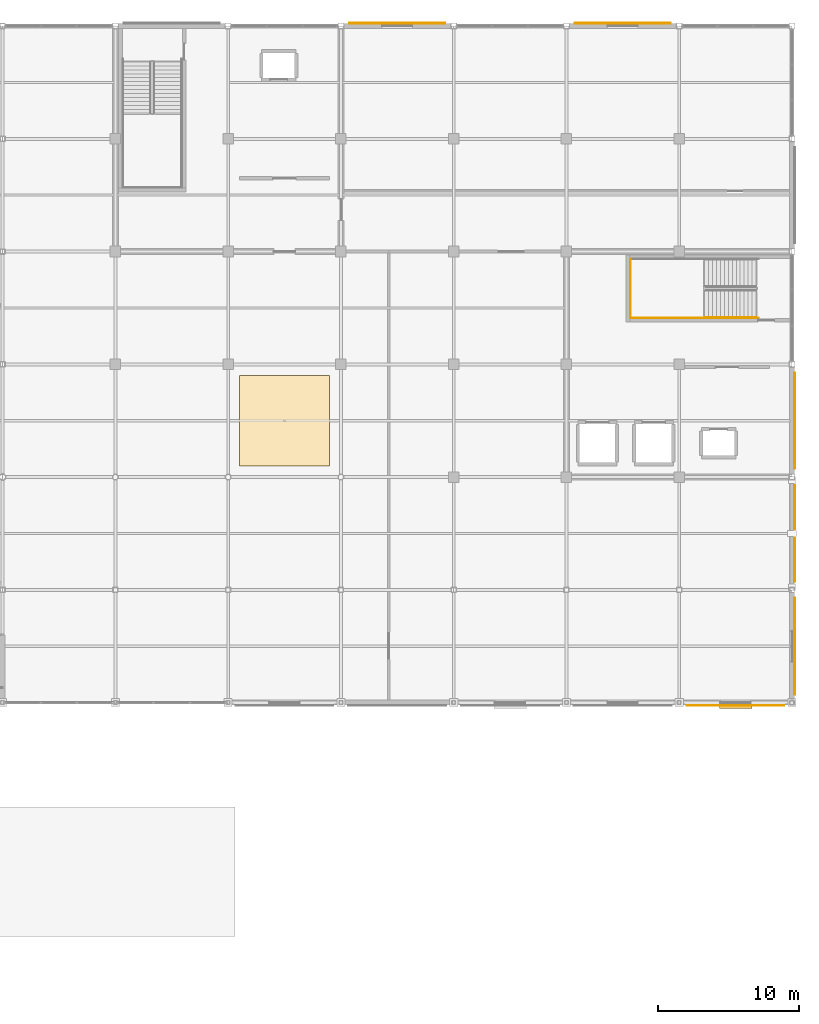
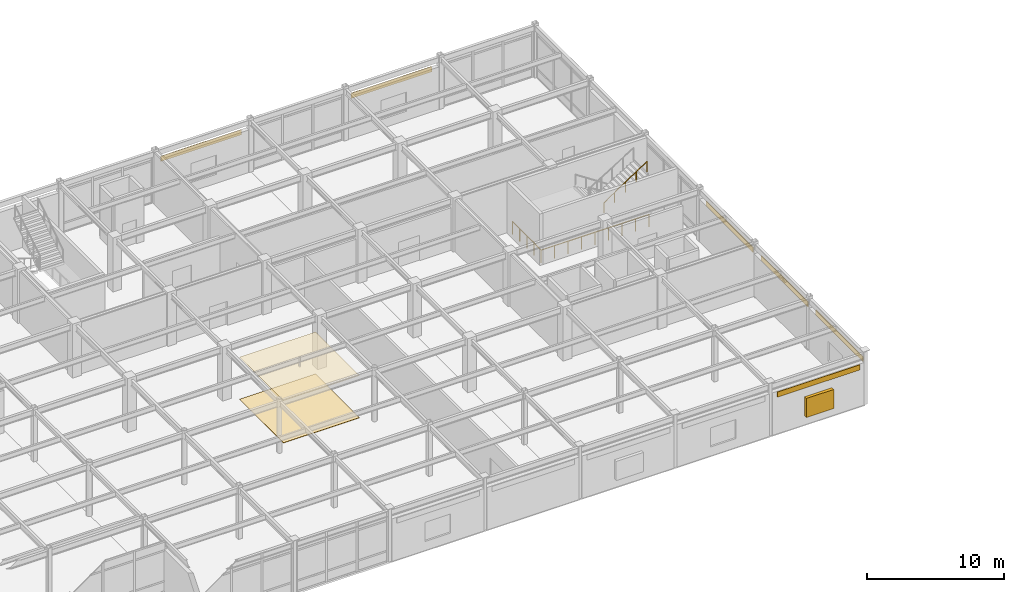
# One storey, part 115 of 117: 8 coverings, 3 railings, 1 shading device.
"""IFC4 building model written with IfcOpenShell, lengths in metres."""

from ifc_helpers import new_model, si_unit, direction, frame, origin, origin_2d, place, context, subcontext, project, spatial, polyline, rectangle, circle, outline, extrude, material, layer, layer_set, type_object, element, save


model = new_model("IFC4")

# Units and contexts
model_context = context("Model", 3, precision=1e-05, world=origin(), true_north=direction((0.0, 1.0)))
body_context = subcontext(model_context, "Body", "Model", "MODEL_VIEW")
ifc_project = project(units=[si_unit("LENGTHUNIT", "METRE"), si_unit("AREAUNIT", "SQUARE_METRE"), si_unit("VOLUMEUNIT", "CUBIC_METRE"), si_unit("PLANEANGLEUNIT", "RADIAN"), si_unit("MASSUNIT", "GRAM", prefix="KILO")], contexts=[model_context])

# Site, building, storey
site_placement = place(None, origin())
site = spatial("IfcSite", under=ifc_project, at=site_placement, CompositionType="ELEMENT")
building_placement = place(site_placement, origin())
building = spatial("IfcBuilding", under=site, at=building_placement, Name="Solmirada Galleria", CompositionType="ELEMENT")
storey_placement = place(building_placement, frame((0.0, 0.0, 5.60009765625)))
storey = spatial("IfcBuildingStorey", under=building, at=storey_placement, Name="L01", CompositionType="ELEMENT", Elevation=5.60009765625)

# Coverings
ifc_material_1 = material(Name="Perforated acoustic mineral-fibre ceiling")
ifc_layer_1 = layer(ifc_material_1, 0.02490234375)
ifc_layer_set_1 = layer_set([ifc_layer_1], Name="Perforated acoustic mineral-fibre ceiling")
covering_type_1 = type_object("IfcCoveringType", Name="COV-CEIL-ACOUST", PredefinedType="CEILING", material=ifc_layer_set_1)
covering_1_placement = place(storey_placement, frame((0.0, 0.0, 3.75)))
element("IfcCovering", 1, at=covering_1_placement, inside=storey, type_object=covering_type_1, Name="Acoustic ceiling panel L01-3", PredefinedType="CEILING", context=body_context, shape_type="SweptSolid", body=[
    extrude(outline(polyline([(136.800048828125, 88.800048828125), (143.199951171875, 88.800048828125), (143.199951171875, 95.199951171875), (136.800048828125, 95.199951171875), (136.800048828125, 88.800048828125)])), origin(), (0.0, 0.0, 1.0), 0.02490234375),
])
ifc_material_2 = material(Name="Limestone cladding panels", Category="masonry")
ifc_layer_2 = layer(ifc_material_2, 0.044921875)
ifc_layer_set_2 = layer_set([ifc_layer_2], Name="Limestone cladding panels")
covering_type_2 = type_object("IfcCoveringType", Name="COV-CLAD-LIME", PredefinedType="CLADDING", material=ifc_layer_set_2)
for number, where, z_axis, x_axis, name in (
    (2, (148.0, 120.1923828125, 3.2900390625), (0.0, 0.0, 1.0), (1.0, 0.0, 0.0), "Postmodern facade cladding L01-079"),
    (3, (164.0, 120.1923828125, 3.2900390625), (0.0, 0.0, 1.0), (1.0, 0.0, 0.0), "Postmodern facade cladding L01-080"),
    (4, (176.1923828125, 92.0, 3.2900390625), (0.0, 0.0, 1.0), (0.0, -1.0, 0.0), "Postmodern facade cladding L01-082"),
):
    element("IfcCovering", number, at=place(storey_placement, frame(where, z_axis=z_axis, x_axis=x_axis)), inside=storey, type_object=covering_type_2, Name=name, PredefinedType="CLADDING", context=body_context, shape_type="SweptSolid", body=[
        extrude(rectangle(XDim=6.7939453125, YDim=0.044921875, at=origin_2d()), origin(), (0.0, 0.0, 1.0), 0.4599609375),
    ])
covering_2_placement = place(storey_placement, frame((176.202392578125, 84.0, 3.2900390625), z_axis=(0.0, 0.0, 1.0), x_axis=(0.0, -1.0, 0.0)))
element("IfcCovering", 5, at=covering_2_placement, inside=storey, type_object=covering_type_2, Name="Postmodern facade cladding L01-083", PredefinedType="CLADDING", context=body_context, shape_type="SweptSolid", body=[
    extrude(rectangle(XDim=6.819091796875, YDim=0.044921875, at=origin_2d()), origin(), (0.0, 0.0, 1.0), 0.4599609375),
])
covering_3_placement = place(storey_placement, frame((176.1923828125, 76.0, 3.2900390625), z_axis=(0.0, 0.0, 1.0), x_axis=(0.0, -1.0, 0.0)))
element("IfcCovering", 6, at=covering_3_placement, inside=storey, type_object=covering_type_2, Name="Postmodern facade cladding L01-084", PredefinedType="CLADDING", context=body_context, shape_type="SweptSolid", body=[
    extrude(rectangle(XDim=6.869384765625, YDim=0.044921875, at=origin_2d()), origin(), (0.0, 0.0, 1.0), 0.4599609375),
])
covering_4_placement = place(storey_placement, frame((172.0, 71.8076171875, 3.2900390625), z_axis=(0.0, 0.0, 1.0), x_axis=(-1.0, 0.0, 0.0)))
element("IfcCovering", 7, at=covering_4_placement, inside=storey, type_object=covering_type_2, Name="Postmodern facade cladding L01-085", PredefinedType="CLADDING", context=body_context, shape_type="SweptSolid", body=[
    extrude(rectangle(XDim=6.92041015625, YDim=0.044921875, at=origin_2d()), origin(), (0.0, 0.0, 1.0), 0.4599609375),
])
ifc_material_3 = material(Name="Polished terrazzo and porcelain tile flooring")
ifc_layer_3 = layer(ifc_material_3, 0.030029296875)
ifc_layer_set_3 = layer_set([ifc_layer_3], Name="Polished terrazzo and porcelain tile flooring")
covering_type_3 = type_object("IfcCoveringType", Name="COV-FLOOR-TERRAZ", PredefinedType="FLOORING", material=ifc_layer_set_3)
covering_5_placement = place(storey_placement, origin())
element("IfcCovering", 8, at=covering_5_placement, inside=storey, type_object=covering_type_3, Name="Terrazzo floor finish L01-3", PredefinedType="FLOORING", context=body_context, shape_type="SweptSolid", body=[
    extrude(outline(polyline([(136.800048828125, 88.800048828125), (143.199951171875, 88.800048828125), (143.199951171875, 95.199951171875), (136.800048828125, 95.199951171875), (136.800048828125, 88.800048828125)])), origin(), (0.0, 0.0, 1.0), 0.02978515625),
])

# Railings
ifc_material_4 = material(Name="Painted steel tubular railing", Category="steel")
railing_type_1 = type_object("IfcRailingType", Name="RAIL-STAIR-GUARD", PredefinedType="GUARDRAIL", material=ifc_material_4)
railing_1_placement = place(storey_placement, frame((173.6201171875, 99.2900390625, 0.0)))
element("IfcRailing", 9, at=railing_1_placement, inside=storey, type_object=railing_type_1, Name="Stair ST4 well edge guard L01-1", PredefinedType="GUARDRAIL", context=body_context, shape_type="SweptSolid", body=[
    extrude(circle(Radius=0.02392578125, at=origin_2d()), frame((0.0, 0.0, 1.09619140625), z_axis=(-1.0, 0.0, 0.0), x_axis=(0.0, -1.0, 0.0)), (0.0, 0.0, 1.0), 9.080078125),
    extrude(circle(Radius=0.02099609375, at=origin_2d()), origin(), (0.0, 0.0, 1.0), 1.068115234375),
    extrude(circle(Radius=0.02099609375, at=origin_2d()), frame((-1.135009765625, 0.0, 0.0)), (0.0, 0.0, 1.0), 1.068115234375),
    extrude(circle(Radius=0.02099609375, at=origin_2d()), frame((-2.27001953125, 0.0, 0.0)), (0.0, 0.0, 1.0), 1.068115234375),
    extrude(circle(Radius=0.02099609375, at=origin_2d()), frame((-3.405029296875, 0.0, 0.0)), (0.0, 0.0, 1.0), 1.068115234375),
    extrude(circle(Radius=0.02099609375, at=origin_2d()), frame((-4.5400390625, 0.0, 0.0)), (0.0, 0.0, 1.0), 1.068115234375),
    extrude(circle(Radius=0.02099609375, at=origin_2d()), frame((-5.675048828125, 0.0, 0.0)), (0.0, 0.0, 1.0), 1.068115234375),
    extrude(circle(Radius=0.02099609375, at=origin_2d()), frame((-6.81005859375, 0.0, 0.0)), (0.0, 0.0, 1.0), 1.068115234375),
    extrude(circle(Radius=0.02099609375, at=origin_2d()), frame((-7.945068359375, 0.0, 0.0)), (0.0, 0.0, 1.0), 1.068115234375),
    extrude(circle(Radius=0.02099609375, at=origin_2d()), frame((-9.080078125, 0.0, 0.0)), (0.0, 0.0, 1.0), 1.068115234375),
])
railing_2_placement = place(storey_placement, frame((164.5400390625, 99.2900390625, 0.0)))
element("IfcRailing", 10, at=railing_2_placement, inside=storey, type_object=railing_type_1, Name="Stair ST4 well edge guard L01-2", PredefinedType="GUARDRAIL", context=body_context, shape_type="SweptSolid", body=[
    extrude(circle(Radius=0.02392578125, at=origin_2d()), frame((0.0, 0.0, 1.09619140625), z_axis=(0.0, 1.0, 0.0), x_axis=(-1.0, 0.0, 0.0)), (0.0, 0.0, 1.0), 4.169921875),
    extrude(circle(Radius=0.02099609375, at=origin_2d()), origin(), (0.0, 0.0, 1.0), 1.068115234375),
    extrude(circle(Radius=0.02099609375, at=origin_2d()), frame((0.0, 1.04248046875, 0.0)), (0.0, 0.0, 1.0), 1.068115234375),
    extrude(circle(Radius=0.02099609375, at=origin_2d()), frame((0.0, 2.0849609375, 0.0)), (0.0, 0.0, 1.0), 1.068115234375),
    extrude(circle(Radius=0.02099609375, at=origin_2d()), frame((0.0, 3.12744140625, 0.0)), (0.0, 0.0, 1.0), 1.068115234375),
    extrude(circle(Radius=0.02099609375, at=origin_2d()), frame((0.0, 4.169921875, 0.0)), (0.0, 0.0, 1.0), 1.068115234375),
])
railing_type_2 = type_object("IfcRailingType", Name="RAIL-STAIR-HAND", PredefinedType="HANDRAIL", material=ifc_material_4)
railing_3_placement = place(storey_placement, frame((169.81005859375, 99.300048828125, 2.5712890625)))
element("IfcRailing", 11, at=railing_3_placement, inside=storey, type_object=railing_type_2, Name="L01 ST4 stair handrail 2", PredefinedType="HANDRAIL", context=body_context, shape_type="SweptSolid", body=[
    extrude(circle(Radius=0.02392578125, at=origin_2d()), frame((0.0, 0.0, 0.8759765625), z_axis=(0.834839479206, 0.0, 0.550493454965), x_axis=(0.0, 1.0, 0.0)), (0.0, 0.0, 1.0), 4.360107421875),
    extrude(circle(Radius=0.02099609375, at=origin_2d()), origin(), (0.0, 0.0, 1.0), 0.847900390625),
    extrude(circle(Radius=0.02099609375, at=origin_2d()), frame((0.909912109375, 0.0, 0.60009765625)), (0.0, 0.0, 1.0), 0.847900390625),
    extrude(circle(Radius=0.02099609375, at=origin_2d()), frame((1.81982421875, 0.0, 1.2001953125)), (0.0, 0.0, 1.0), 0.847900390625),
    extrude(circle(Radius=0.02099609375, at=origin_2d()), frame((2.72998046875, 0.0, 1.800048828125)), (0.0, 0.0, 1.0), 0.847900390625),
    extrude(circle(Radius=0.02099609375, at=origin_2d()), frame((3.639892578125, 0.0, 2.400146484375)), (0.0, 0.0, 1.0), 0.847900390625),
])

# Shading device
ifc_material_5 = material(Name="Extruded aluminium storm louvres", Category="aluminium")
shading_device_type = type_object("IfcShadingDeviceType", Name="SHD-JALOUSIE", PredefinedType="JALOUSIE", material=ifc_material_5)
shading_device_placement = place(storey_placement, frame((172.0, 71.699951171875, 0.7998046875), z_axis=(0.0, 0.0, 1.0), x_axis=(-1.0, 0.0, 0.0)))
element("IfcShadingDevice", 12, at=shading_device_placement, inside=storey, type_object=shading_device_type, Name="Hurricane storm jalousie louvre 040", PredefinedType="JALOUSIE", context=body_context, shape_type="SweptSolid", body=[
    extrude(rectangle(XDim=2.31005859375, YDim=0.260009765625, at=origin_2d()), origin(), (0.0, 0.0, 1.0), 1.699951171875),
])

save(model, "model.ifc")
